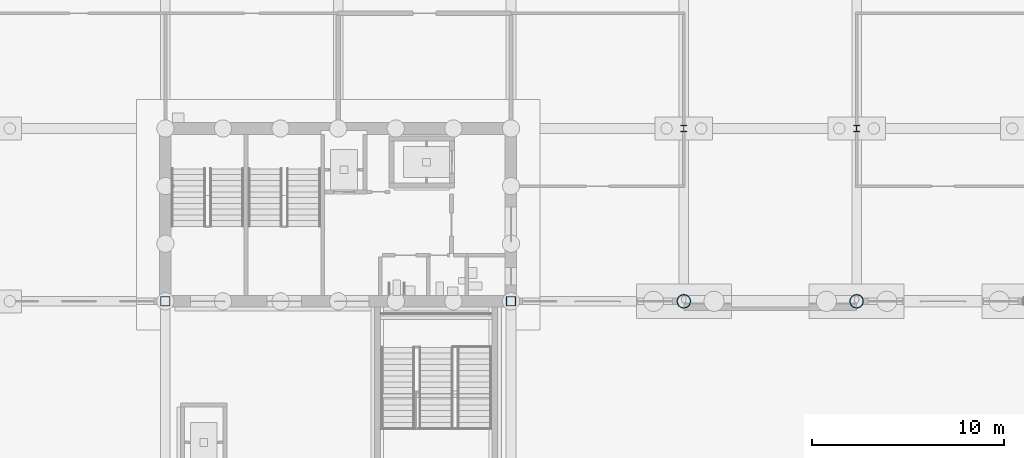
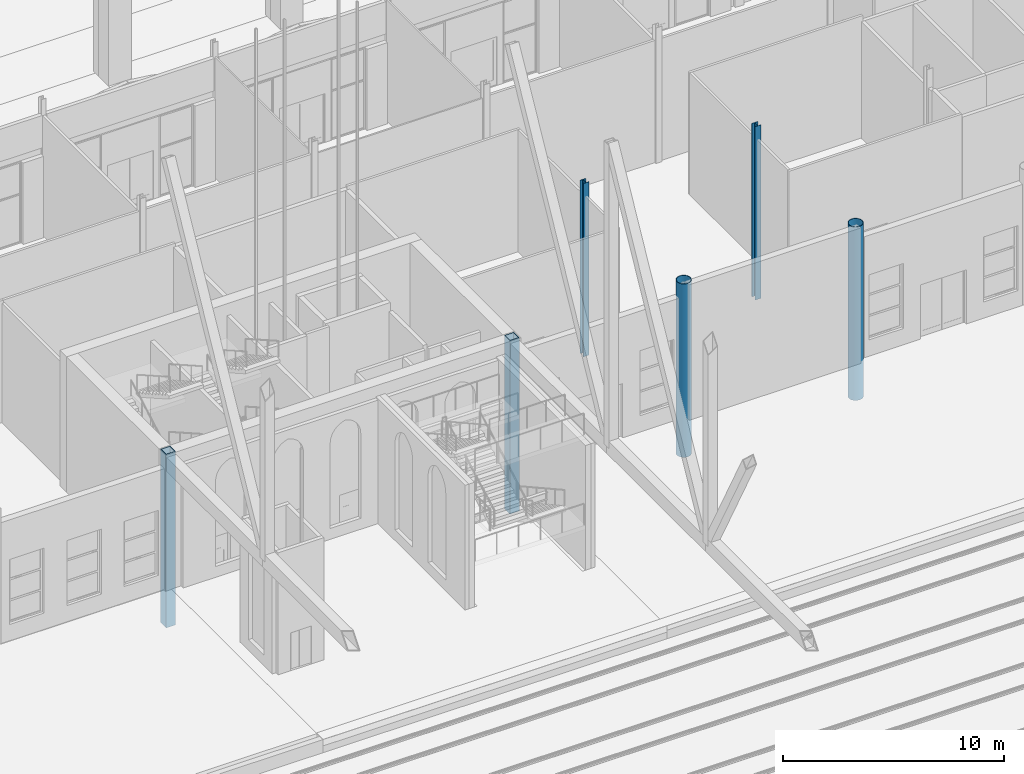
# One storey, part 16 of 250: 6 columns.
"""IFC4 building model written with IfcOpenShell, lengths in metres."""

from ifc_helpers import new_model, si_unit, direction, frame, origin, origin_2d, place, context, subcontext, project, spatial, hollow_rectangle, hollow_circle, i_section, extrude, material, material_profile, profile_set, type_object, element, save


model = new_model("IFC4")

# Units and contexts
model_context = context("Model", 3, precision=1e-05, world=origin(), true_north=direction((0.0, 1.0)))
body_context = subcontext(model_context, "Body", "Model", "MODEL_VIEW")
ifc_project = project(units=[si_unit("LENGTHUNIT", "METRE"), si_unit("AREAUNIT", "SQUARE_METRE"), si_unit("VOLUMEUNIT", "CUBIC_METRE"), si_unit("PLANEANGLEUNIT", "RADIAN"), si_unit("MASSUNIT", "GRAM", prefix="KILO")], contexts=[model_context])

# Site, building, storey
site_placement = place(None, origin())
site = spatial("IfcSite", under=ifc_project, at=site_placement, CompositionType="ELEMENT")
building_placement = place(site_placement, origin())
building = spatial("IfcBuilding", under=site, at=building_placement, Name="Baradari Gate Terminus", CompositionType="ELEMENT")
storey_placement = place(building_placement, origin())
storey = spatial("IfcBuildingStorey", under=building, at=storey_placement, Name="L00", CompositionType="ELEMENT", Elevation=0.0)

# Columns
ifc_material_1 = material(Name="Steel S355", Category="steel")
ifc_material_profile_1 = material_profile(ifc_material_1, hollow_rectangle(XDim=0.5, YDim=0.5, WallThickness=0.031982421875, at=origin_2d()), Name="FB 500x500x32")
ifc_profile_set_1 = profile_set([ifc_material_profile_1], Name="Steel S355")
column_type_1 = type_object("IfcColumnType", Name="Abutment end post C06 FB 500x500x32", PredefinedType="COLUMN", material=ifc_profile_set_1)
for number, where, z_axis, x_axis, name in (
    (1, (72.0, 81.0, -2.10009765625), (0.0, 0.0, 1.0), (1.0, 0.0, 0.0), "C06 column 9-K L00"),
    (2, (90.0, 81.0, -2.10009765625), (0.0, 0.0, 1.0), (1.0, 0.0, 0.0), "C06 column 11-K L00"),
):
    element("IfcColumn", number, at=place(storey_placement, frame(where, z_axis=z_axis, x_axis=x_axis)), inside=storey, type_object=column_type_1, Name=name, PredefinedType="COLUMN", context=body_context, shape_type="SweptSolid", body=[
        extrude(hollow_rectangle(XDim=0.5, YDim=0.5, WallThickness=0.031982421875, at=origin_2d()), origin(), (0.0, 0.0, 1.0), 9.60009765625),
    ])
ifc_material_2 = material(Name="Steel S355", Category="steel")
ifc_material_profile_2 = material_profile(ifc_material_2, hollow_circle(Radius=0.35546875, WallThickness=0.02490234375, at=origin_2d()), Name="CHS 711x25")
ifc_profile_set_2 = profile_set([ifc_material_profile_2], Name="Steel S355")
column_type_2 = type_object("IfcColumnType", Name="Braced north shed column C10 CHS 711x25", PredefinedType="COLUMN", material=ifc_profile_set_2)
for number, where, z_axis, x_axis, name in (
    (3, (99.0, 81.0, -2.10009765625), (0.0, 0.0, 1.0), (1.0, 0.0, 0.0), "C10 column 12-K L00"),
    (4, (108.0, 81.0, -2.10009765625), (0.0, 0.0, 1.0), (1.0, 0.0, 0.0), "C10 column 13-K L00"),
):
    element("IfcColumn", number, at=place(storey_placement, frame(where, z_axis=z_axis, x_axis=x_axis)), inside=storey, type_object=column_type_2, Name=name, PredefinedType="COLUMN", context=body_context, shape_type="SweptSolid", body=[
        extrude(hollow_circle(Radius=0.35546875, WallThickness=0.02490234375, at=origin_2d()), origin(), (0.0, 0.0, 1.0), 9.60009765625),
    ])
ifc_material_3 = material(Name="Steel S355", Category="steel")
ifc_material_profile_3 = material_profile(ifc_material_3, i_section(OverallWidth=0.307373046875, OverallDepth=0.314453125, WebThickness=0.011962890625, FlangeThickness=0.018798828125, FilletRadius=0.01513671875, at=origin_2d()), Name="UC 305x305x118")
ifc_profile_set_3 = profile_set([ifc_material_profile_3], Name="Steel S355")
column_type_3 = type_object("IfcColumnType", Name="Head-house column C07 UC 305x305x118", PredefinedType="COLUMN", material=ifc_profile_set_3)
for number, where, z_axis, x_axis, name in (
    (5, (99.0, 90.0, -2.10009765625), (0.0, 0.0, 1.0), (1.0, 0.0, 0.0), "C07 column 12-L L00"),
    (6, (108.0, 90.0, -2.10009765625), (0.0, 0.0, 1.0), (1.0, 0.0, 0.0), "C07 column 13-L L00"),
):
    element("IfcColumn", number, at=place(storey_placement, frame(where, z_axis=z_axis, x_axis=x_axis)), inside=storey, type_object=column_type_3, Name=name, PredefinedType="COLUMN", context=body_context, shape_type="SweptSolid", body=[
        extrude(i_section(OverallWidth=0.307373046875, OverallDepth=0.314453125, WebThickness=0.011962890625, FlangeThickness=0.018798828125, FilletRadius=0.01513671875, at=origin_2d()), origin(), (0.0, 0.0, 1.0), 9.60009765625),
    ])

save(model, "model.ifc")
